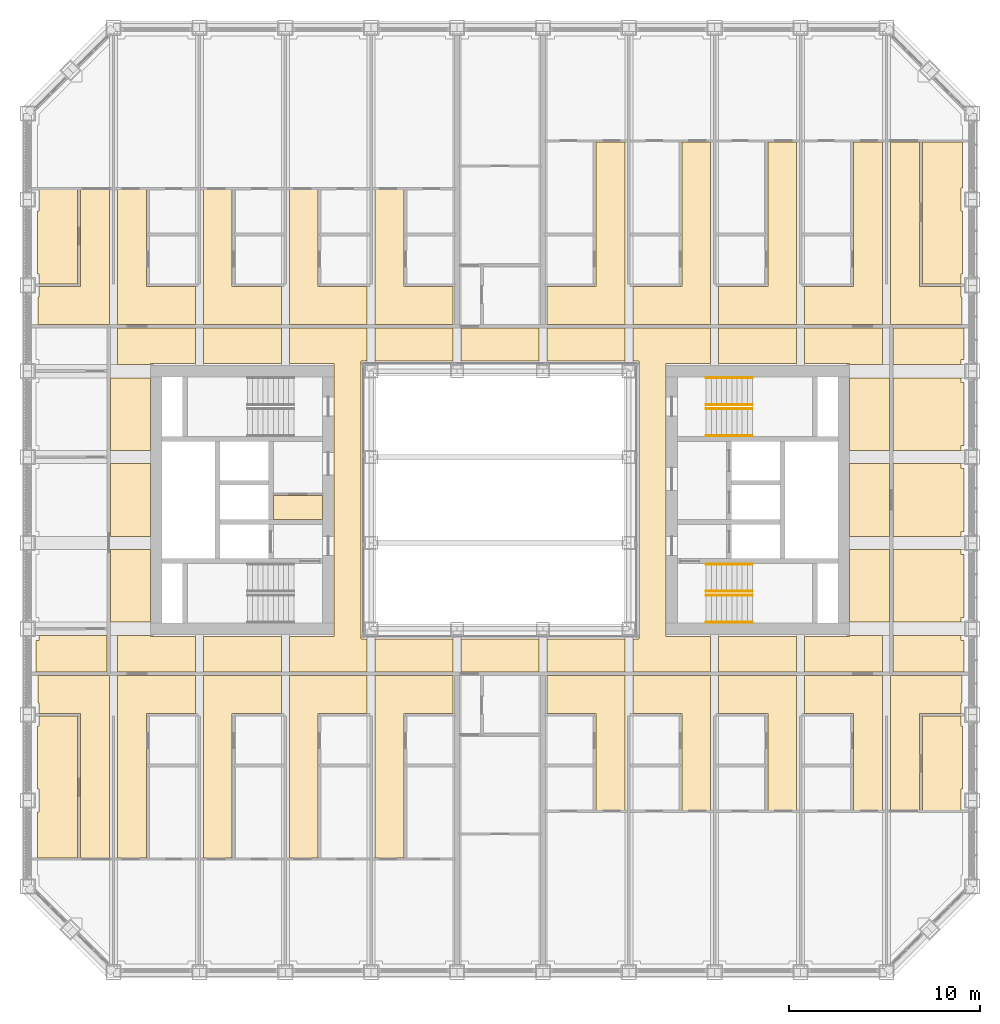
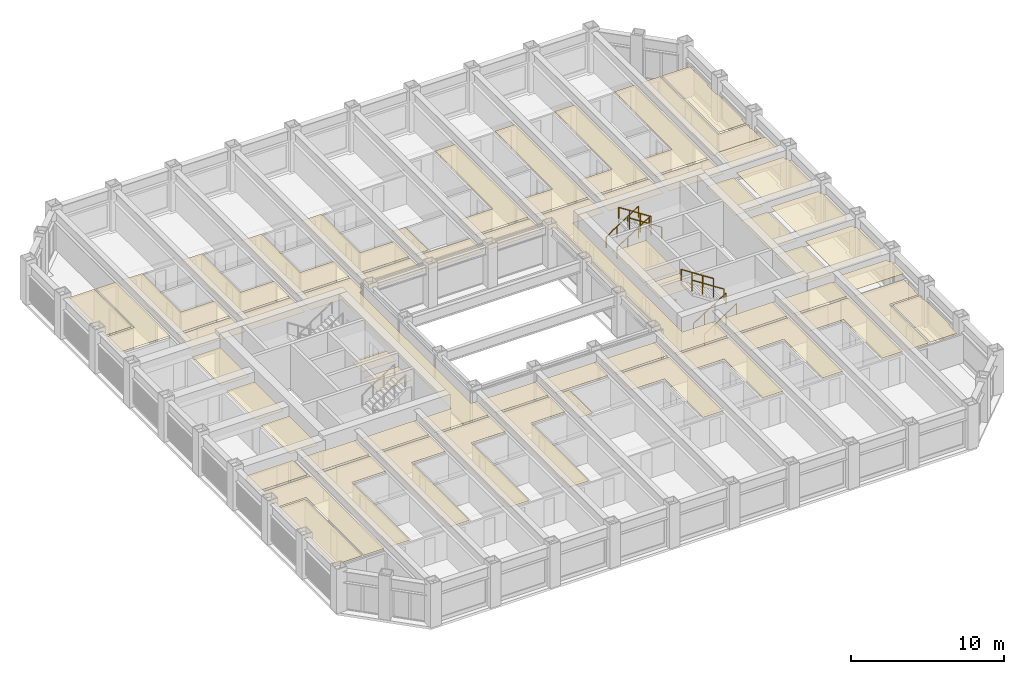
# One storey, part 20 of 21: 8 railings, 3 coverings.
"""IFC4 building model written with IfcOpenShell, lengths in metres."""

from ifc_helpers import new_model, si_unit, direction, frame, origin, origin_2d, place, context, subcontext, project, spatial, line, indexed_curve, circle, outline, extrude, material, layer, layer_set, type_object, element, save


model = new_model("IFC4")

# Units and contexts
model_context = context("Model", 3, precision=1e-05, world=origin(), true_north=direction((0.0, 1.0)))
body_context = subcontext(model_context, "Body", "Model", "MODEL_VIEW")
ifc_project = project(units=[si_unit("LENGTHUNIT", "METRE"), si_unit("AREAUNIT", "SQUARE_METRE"), si_unit("VOLUMEUNIT", "CUBIC_METRE"), si_unit("PLANEANGLEUNIT", "RADIAN"), si_unit("MASSUNIT", "GRAM", prefix="KILO")], contexts=[model_context])

# Site, building, storey
site_placement = place(None, origin())
site = spatial("IfcSite", under=ifc_project, at=site_placement, CompositionType="ELEMENT")
building_placement = place(site_placement, origin())
building = spatial("IfcBuilding", under=site, at=building_placement, Name="Msasa Ring Tower", CompositionType="ELEMENT")
storey_placement = place(building_placement, frame((0.0, 0.0, 103.5)))
storey = spatial("IfcBuildingStorey", under=building, at=storey_placement, Name="L27", CompositionType="ELEMENT", Elevation=103.5)

# Coverings
ifc_material_1 = material(Name="Gypsum plasterboard on a steel suspension grid", Category="steel")
ifc_layer_1 = layer(ifc_material_1, 0.014892578125)
ifc_layer_set_1 = layer_set([ifc_layer_1], Name="C1 SUSPENDED PLASTERBOARD CEILING 15")
covering_type_1 = type_object("IfcCoveringType", Name="C1 SUSPENDED PLASTERBOARD CEILING 15", PredefinedType="CEILING", material=ifc_layer_set_1)
covering_1_placement = place(storey_placement, frame((0.0, 0.0, 2.39990234375)))
element("IfcCovering", 1, at=covering_1_placement, inside=storey, type_object=covering_type_1, Name="Suspended Plasterboard Ceiling 15 circulation L27", PredefinedType="CEILING", context=body_context, shape_type="SweptSolid", body=[
    extrude(outline(indexed_curve([(-21.969482421875, -18.757080078125), (-21.969482421875, -11.18701171875), (-24.1494140625, -11.18701171875), (-24.1494140625, -10.6494140625), (-24.199462890625, -10.6494140625), (-24.199462890625, -9.200439453125), (-20.460693359375, -9.200439453125), (-20.460693359375, -18.757080078125)], segments=[line(1, 2, 3, 4, 5, 6, 7, 8, 1)], self_intersect=False)), origin(), (0.0, 0.0, 1.0), 0.01513671875),
    extrude(outline(indexed_curve([(-24.199462890625, 9.200439453125), (-24.199462890625, 10.6494140625), (-24.1494140625, 10.6494140625), (-24.1494140625, 11.18701171875), (-21.969482421875, 11.18701171875), (-21.969482421875, 16.257080078125), (-20.460693359375, 16.257080078125), (-20.460693359375, 9.200439453125)], segments=[line(1, 2, 3, 4, 5, 6, 7, 8, 1)], self_intersect=False)), origin(), (0.0, 0.0, 1.0), 0.01513671875),
    extrude(outline(indexed_curve([(-20.3994140625, -2.6005859375), (-18.300537109375, -2.6005859375), (-18.300537109375, -6.3994140625), (-20.3994140625, -6.3994140625)], segments=[line(1, 2, 3, 4, 1)], self_intersect=False)), origin(), (0.0, 0.0, 1.0), 0.01513671875),
    extrude(outline(indexed_curve([(-20.3994140625, 1.8994140625), (-18.300537109375, 1.8994140625), (-18.300537109375, -1.8994140625), (-20.3994140625, -1.8994140625)], segments=[line(1, 2, 3, 4, 1)], self_intersect=False)), origin(), (0.0, 0.0, 1.0), 0.01513671875),
    extrude(outline(indexed_curve([(-20.3994140625, 6.3994140625), (-18.300537109375, 6.3994140625), (-18.300537109375, 2.6005859375), (-20.3994140625, 2.6005859375)], segments=[line(1, 2, 3, 4, 1)], self_intersect=False)), origin(), (0.0, 0.0, 1.0), 0.01513671875),
    extrude(outline(indexed_curve([(-18.530517578125, -11.18701171875), (-18.530517578125, -18.757080078125), (-20.039306640625, -18.757080078125), (-20.039306640625, -9.200439453125), (-15.960693359375, -9.200439453125), (-15.960693359375, -11.18701171875)], segments=[line(1, 2, 3, 4, 5, 6, 1)], self_intersect=False)), origin(), (0.0, 0.0, 1.0), 0.01513671875),
    extrude(outline(indexed_curve([(-20.039306640625, -8.99951171875), (-20.039306640625, -7.1005859375), (-18.300537109375, -7.1005859375), (-18.300537109375, -7.150390625), (-15.960693359375, -7.150390625), (-15.960693359375, -8.99951171875)], segments=[line(1, 2, 3, 4, 5, 6, 1)], self_intersect=False)), origin(), (0.0, 0.0, 1.0), 0.01513671875),
    extrude(outline(indexed_curve([(-15.960693359375, 8.99951171875), (-15.960693359375, 7.150390625), (-18.300537109375, 7.150390625), (-18.300537109375, 7.1005859375), (-20.039306640625, 7.1005859375), (-20.039306640625, 8.99951171875)], segments=[line(1, 2, 3, 4, 5, 6, 1)], self_intersect=False)), origin(), (0.0, 0.0, 1.0), 0.01513671875),
    extrude(outline(indexed_curve([(-18.530517578125, 16.257080078125), (-18.530517578125, 11.18701171875), (-15.960693359375, 11.18701171875), (-15.960693359375, 9.200439453125), (-20.039306640625, 9.200439453125), (-20.039306640625, 16.257080078125)], segments=[line(1, 2, 3, 4, 5, 6, 1)], self_intersect=False)), origin(), (0.0, 0.0, 1.0), 0.01513671875),
    extrude(outline(indexed_curve([(-14.030517578125, -11.18701171875), (-14.030517578125, -18.757080078125), (-15.539306640625, -18.757080078125), (-15.539306640625, -9.200439453125), (-11.460693359375, -9.200439453125), (-11.460693359375, -11.18701171875)], segments=[line(1, 2, 3, 4, 5, 6, 1)], self_intersect=False)), origin(), (0.0, 0.0, 1.0), 0.01513671875),
    extrude(outline(indexed_curve([(-15.539306640625, -8.99951171875), (-15.539306640625, -7.150390625), (-11.460693359375, -7.150390625), (-11.460693359375, -8.99951171875)], segments=[line(1, 2, 3, 4, 1)], self_intersect=False)), origin(), (0.0, 0.0, 1.0), 0.01513671875),
    extrude(outline(indexed_curve([(-11.460693359375, 8.99951171875), (-11.460693359375, 7.150390625), (-15.539306640625, 7.150390625), (-15.539306640625, 8.99951171875)], segments=[line(1, 2, 3, 4, 1)], self_intersect=False)), origin(), (0.0, 0.0, 1.0), 0.01513671875),
    extrude(outline(indexed_curve([(-14.030517578125, 16.257080078125), (-14.030517578125, 11.18701171875), (-11.460693359375, 11.18701171875), (-11.460693359375, 9.200439453125), (-15.539306640625, 9.200439453125), (-15.539306640625, 16.257080078125)], segments=[line(1, 2, 3, 4, 5, 6, 1)], self_intersect=False)), origin(), (0.0, 0.0, 1.0), 0.01513671875),
    extrude(outline(indexed_curve([(-11.87451171875, -1.275390625), (-9.300537109375, -1.275390625), (-9.300537109375, -3.074462890625), (-11.87451171875, -3.074462890625)], segments=[line(1, 2, 3, 4, 1)], self_intersect=False)), origin(), (0.0, 0.0, 1.0), 0.01513671875),
    extrude(outline(indexed_curve([(-9.530517578125, -18.757080078125), (-11.039306640625, -18.757080078125), (-11.039306640625, -9.200439453125), (-6.960693359375, -9.200439453125), (-6.960693359375, -11.18701171875), (-9.530517578125, -11.18701171875)], segments=[line(1, 2, 3, 4, 5, 6, 1)], self_intersect=False)), origin(), (0.0, 0.0, 1.0), 0.01513671875),
    extrude(outline(indexed_curve([(-6.960693359375, 8.99951171875), (-6.960693359375, 7.280029296875), (-7.275390625, 7.275390625), (-7.280517578125, 7.23046875), (-7.280517578125, -7.23046875), (-7.275390625, -7.275390625), (-6.960693359375, -7.280029296875), (-6.960693359375, -8.99951171875), (-11.039306640625, -8.99951171875), (-11.039306640625, -7.150390625), (-8.699462890625, -7.150390625), (-8.699462890625, 7.150390625), (-11.039306640625, 7.150390625), (-11.039306640625, 8.99951171875)], segments=[line(1, 2, 3, 4, 5, 6, 7, 8, 9, 10, 11, 12, 13, 14, 1)], self_intersect=False)), origin(), (0.0, 0.0, 1.0), 0.01513671875),
    extrude(outline(indexed_curve([(-9.530517578125, 16.257080078125), (-9.530517578125, 11.18701171875), (-6.960693359375, 11.18701171875), (-6.960693359375, 9.200439453125), (-11.039306640625, 9.200439453125), (-11.039306640625, 16.257080078125)], segments=[line(1, 2, 3, 4, 5, 6, 1)], self_intersect=False)), origin(), (0.0, 0.0, 1.0), 0.01513671875),
    extrude(outline(indexed_curve([(-2.460693359375, -9.200439453125), (-2.460693359375, -11.18701171875), (-5.030517578125, -11.18701171875), (-5.030517578125, -18.757080078125), (-6.539306640625, -18.757080078125), (-6.539306640625, -9.200439453125)], segments=[line(1, 2, 3, 4, 5, 6, 1)], self_intersect=False)), origin(), (0.0, 0.0, 1.0), 0.01513671875),
    extrude(outline(indexed_curve([(-6.539306640625, -8.99951171875), (-6.539306640625, -7.280029296875), (-2.460693359375, -7.280029296875), (-2.460693359375, -8.99951171875)], segments=[line(1, 2, 3, 4, 1)], self_intersect=False)), origin(), (0.0, 0.0, 1.0), 0.01513671875),
    extrude(outline(indexed_curve([(-2.460693359375, 8.99951171875), (-2.460693359375, 7.280029296875), (-6.539306640625, 7.280029296875), (-6.539306640625, 8.99951171875)], segments=[line(1, 2, 3, 4, 1)], self_intersect=False)), origin(), (0.0, 0.0, 1.0), 0.01513671875),
    extrude(outline(indexed_curve([(-5.030517578125, 16.257080078125), (-5.030517578125, 11.18701171875), (-2.460693359375, 11.18701171875), (-2.460693359375, 9.200439453125), (-6.539306640625, 9.200439453125), (-6.539306640625, 16.257080078125)], segments=[line(1, 2, 3, 4, 5, 6, 1)], self_intersect=False)), origin(), (0.0, 0.0, 1.0), 0.01513671875),
    extrude(outline(indexed_curve([(-2.039306640625, -12.219482421875), (-2.039306640625, -9.200439453125), (-1.00048828125, -9.200439453125), (-1.00048828125, -12.219482421875)], segments=[line(1, 2, 3, 4, 1)], self_intersect=False)), origin(), (0.0, 0.0, 1.0), 0.01513671875),
    extrude(outline(indexed_curve([(-2.039306640625, -8.99951171875), (-2.039306640625, -7.280029296875), (2.039306640625, -7.280029296875), (2.039306640625, -8.99951171875)], segments=[line(1, 2, 3, 4, 1)], self_intersect=False)), origin(), (0.0, 0.0, 1.0), 0.01513671875),
    extrude(outline(indexed_curve([(2.039306640625, 8.99951171875), (2.039306640625, 7.280029296875), (-2.039306640625, 7.280029296875), (-2.039306640625, 8.99951171875)], segments=[line(1, 2, 3, 4, 1)], self_intersect=False)), origin(), (0.0, 0.0, 1.0), 0.01513671875),
    extrude(outline(indexed_curve([(-2.039306640625, 9.200439453125), (-2.039306640625, 12.219482421875), (-1.00048828125, 12.219482421875), (-1.00048828125, 9.200439453125)], segments=[line(1, 2, 3, 4, 1)], self_intersect=False)), origin(), (0.0, 0.0, 1.0), 0.01513671875),
    extrude(outline(indexed_curve([(5.030517578125, -16.257080078125), (5.030517578125, -11.18701171875), (2.460693359375, -11.18701171875), (2.460693359375, -9.200439453125), (6.539306640625, -9.200439453125), (6.539306640625, -16.257080078125)], segments=[line(1, 2, 3, 4, 5, 6, 1)], self_intersect=False)), origin(), (0.0, 0.0, 1.0), 0.01513671875),
    extrude(outline(indexed_curve([(2.460693359375, -8.99951171875), (2.460693359375, -7.280029296875), (6.539306640625, -7.280029296875), (6.539306640625, -8.99951171875)], segments=[line(1, 2, 3, 4, 1)], self_intersect=False)), origin(), (0.0, 0.0, 1.0), 0.01513671875),
    extrude(outline(indexed_curve([(6.539306640625, 8.99951171875), (6.539306640625, 7.280029296875), (2.460693359375, 7.280029296875), (2.460693359375, 8.99951171875)], segments=[line(1, 2, 3, 4, 1)], self_intersect=False)), origin(), (0.0, 0.0, 1.0), 0.01513671875),
    extrude(outline(indexed_curve([(2.460693359375, 9.200439453125), (2.460693359375, 11.18701171875), (5.030517578125, 11.18701171875), (5.030517578125, 18.757080078125), (6.539306640625, 18.757080078125), (6.539306640625, 9.200439453125)], segments=[line(1, 2, 3, 4, 5, 6, 1)], self_intersect=False)), origin(), (0.0, 0.0, 1.0), 0.01513671875),
    extrude(outline(indexed_curve([(9.530517578125, -16.257080078125), (9.530517578125, -11.18701171875), (6.960693359375, -11.18701171875), (6.960693359375, -9.200439453125), (11.039306640625, -9.200439453125), (11.039306640625, -16.257080078125)], segments=[line(1, 2, 3, 4, 5, 6, 1)], self_intersect=False)), origin(), (0.0, 0.0, 1.0), 0.01513671875),
    extrude(outline(indexed_curve([(11.039306640625, 8.99951171875), (11.039306640625, 7.150390625), (8.699462890625, 7.150390625), (8.699462890625, -7.150390625), (11.039306640625, -7.150390625), (11.039306640625, -8.99951171875), (6.960693359375, -8.99951171875), (6.960693359375, -7.280029296875), (7.275390625, -7.275390625), (7.280517578125, -7.23046875), (7.280517578125, 7.23046875), (7.275390625, 7.275390625), (6.960693359375, 7.280029296875), (6.960693359375, 8.99951171875)], segments=[line(1, 2, 3, 4, 5, 6, 7, 8, 9, 10, 11, 12, 13, 14, 1)], self_intersect=False)), origin(), (0.0, 0.0, 1.0), 0.01513671875),
    extrude(outline(indexed_curve([(11.039306640625, 18.757080078125), (11.039306640625, 9.200439453125), (6.960693359375, 9.200439453125), (6.960693359375, 11.18701171875), (9.530517578125, 11.18701171875), (9.530517578125, 18.757080078125)], segments=[line(1, 2, 3, 4, 5, 6, 1)], self_intersect=False)), origin(), (0.0, 0.0, 1.0), 0.01513671875),
    extrude(outline(indexed_curve([(9.300537109375, -1.275390625), (11.87451171875, -1.275390625), (11.87451171875, -3.074462890625), (9.300537109375, -3.074462890625)], segments=[line(1, 2, 3, 4, 1)], self_intersect=False)), origin(), (0.0, 0.0, 1.0), 0.01513671875),
    extrude(outline(indexed_curve([(9.300537109375, -1.0244140625), (9.300537109375, 3.074462890625), (11.87451171875, 3.074462890625), (11.87451171875, -1.0244140625)], segments=[line(1, 2, 3, 4, 1)], self_intersect=False)), origin(), (0.0, 0.0, 1.0), 0.01513671875),
    extrude(outline(indexed_curve([(14.030517578125, -16.257080078125), (14.030517578125, -11.18701171875), (11.460693359375, -11.18701171875), (11.460693359375, -9.200439453125), (15.539306640625, -9.200439453125), (15.539306640625, -16.257080078125)], segments=[line(1, 2, 3, 4, 5, 6, 1)], self_intersect=False)), origin(), (0.0, 0.0, 1.0), 0.01513671875),
    extrude(outline(indexed_curve([(11.460693359375, -8.99951171875), (11.460693359375, -7.150390625), (15.539306640625, -7.150390625), (15.539306640625, -8.99951171875)], segments=[line(1, 2, 3, 4, 1)], self_intersect=False)), origin(), (0.0, 0.0, 1.0), 0.01513671875),
    extrude(outline(indexed_curve([(15.539306640625, 8.99951171875), (15.539306640625, 7.150390625), (11.460693359375, 7.150390625), (11.460693359375, 8.99951171875)], segments=[line(1, 2, 3, 4, 1)], self_intersect=False)), origin(), (0.0, 0.0, 1.0), 0.01513671875),
    extrude(outline(indexed_curve([(14.030517578125, 11.18701171875), (14.030517578125, 18.757080078125), (15.539306640625, 18.757080078125), (15.539306640625, 9.200439453125), (11.460693359375, 9.200439453125), (11.460693359375, 11.18701171875)], segments=[line(1, 2, 3, 4, 5, 6, 1)], self_intersect=False)), origin(), (0.0, 0.0, 1.0), 0.01513671875),
    extrude(outline(indexed_curve([(18.530517578125, -16.257080078125), (18.530517578125, -11.18701171875), (15.960693359375, -11.18701171875), (15.960693359375, -9.200439453125), (20.039306640625, -9.200439453125), (20.039306640625, -16.257080078125)], segments=[line(1, 2, 3, 4, 5, 6, 1)], self_intersect=False)), origin(), (0.0, 0.0, 1.0), 0.01513671875),
    extrude(outline(indexed_curve([(15.960693359375, -8.99951171875), (15.960693359375, -7.150390625), (18.300537109375, -7.150390625), (18.300537109375, -7.1005859375), (20.039306640625, -7.1005859375), (20.039306640625, -8.99951171875)], segments=[line(1, 2, 3, 4, 5, 6, 1)], self_intersect=False)), origin(), (0.0, 0.0, 1.0), 0.01513671875),
    extrude(outline(indexed_curve([(20.039306640625, 8.99951171875), (20.039306640625, 7.1005859375), (18.300537109375, 7.1005859375), (18.300537109375, 7.150390625), (15.960693359375, 7.150390625), (15.960693359375, 8.99951171875)], segments=[line(1, 2, 3, 4, 5, 6, 1)], self_intersect=False)), origin(), (0.0, 0.0, 1.0), 0.01513671875),
    extrude(outline(indexed_curve([(18.530517578125, 11.18701171875), (18.530517578125, 18.757080078125), (20.039306640625, 18.757080078125), (20.039306640625, 9.200439453125), (15.960693359375, 9.200439453125), (15.960693359375, 11.18701171875)], segments=[line(1, 2, 3, 4, 5, 6, 1)], self_intersect=False)), origin(), (0.0, 0.0, 1.0), 0.01513671875),
    extrude(outline(indexed_curve([(20.3994140625, -6.3994140625), (18.300537109375, -6.3994140625), (18.300537109375, -2.6005859375), (20.3994140625, -2.6005859375)], segments=[line(1, 2, 3, 4, 1)], self_intersect=False)), origin(), (0.0, 0.0, 1.0), 0.01513671875),
    extrude(outline(indexed_curve([(20.3994140625, -1.8994140625), (18.300537109375, -1.8994140625), (18.300537109375, 1.8994140625), (20.3994140625, 1.8994140625)], segments=[line(1, 2, 3, 4, 1)], self_intersect=False)), origin(), (0.0, 0.0, 1.0), 0.01513671875),
    extrude(outline(indexed_curve([(20.3994140625, 2.6005859375), (18.300537109375, 2.6005859375), (18.300537109375, 6.3994140625), (20.3994140625, 6.3994140625)], segments=[line(1, 2, 3, 4, 1)], self_intersect=False)), origin(), (0.0, 0.0, 1.0), 0.01513671875),
    extrude(outline(indexed_curve([(24.199462890625, -9.200439453125), (24.199462890625, -10.6494140625), (24.1494140625, -10.6494140625), (24.1494140625, -11.18701171875), (21.969482421875, -11.18701171875), (21.969482421875, -16.257080078125), (20.460693359375, -16.257080078125), (20.460693359375, -9.200439453125)], segments=[line(1, 2, 3, 4, 5, 6, 7, 8, 1)], self_intersect=False)), origin(), (0.0, 0.0, 1.0), 0.01513671875),
    extrude(outline(indexed_curve([(21.969482421875, 18.757080078125), (21.969482421875, 11.18701171875), (24.1494140625, 11.18701171875), (24.1494140625, 10.6494140625), (24.199462890625, 10.6494140625), (24.199462890625, 9.200439453125), (20.460693359375, 9.200439453125), (20.460693359375, 18.757080078125)], segments=[line(1, 2, 3, 4, 5, 6, 7, 8, 1)], self_intersect=False)), origin(), (0.0, 0.0, 1.0), 0.01513671875),
])
ifc_material_2 = material(Name="Mineral fibre ceiling tiles on an exposed steel grid", Category="steel")
ifc_layer_2 = layer(ifc_material_2, 0.02001953125)
ifc_layer_set_2 = layer_set([ifc_layer_2], Name="C3 ACOUSTIC MINERAL FIBRE TILE CEILING 20")
covering_type_2 = type_object("IfcCoveringType", Name="C3 ACOUSTIC MINERAL FIBRE TILE CEILING 20", PredefinedType="CEILING", material=ifc_layer_set_2)
covering_2_placement = place(storey_placement, frame((0.0, 0.0, 2.699951171875)))
element("IfcCovering", 2, at=covering_2_placement, inside=storey, type_object=covering_type_2, Name="Acoustic Mineral Fibre Tile Ceiling 20 L27", PredefinedType="CEILING", context=body_context, shape_type="SweptSolid", body=[
    extrude(outline(indexed_curve([(-9.300537109375, 0.244384765625), (-9.300537109375, -1.0244140625), (-11.87451171875, -1.0244140625), (-11.87451171875, 0.244384765625)], segments=[line(1, 2, 3, 4, 1)], self_intersect=False)), origin(), (0.0, 0.0, 1.0), 0.02001953125),
    extrude(outline(indexed_curve([(20.6005859375, -7.1005859375), (24.1494140625, -7.1005859375), (24.1494140625, -7.3505859375), (24.299560546875, -7.3505859375), (24.299560546875, -8.99951171875), (20.6005859375, -8.99951171875)], segments=[line(1, 2, 3, 4, 5, 6, 1)], self_intersect=False)), origin(), (0.0, 0.0, 1.0), 0.02001953125),
    extrude(outline(indexed_curve([(20.6005859375, -2.6005859375), (24.1494140625, -2.6005859375), (24.1494140625, -2.8505859375), (24.299560546875, -2.8505859375), (24.299560546875, -6.1494140625), (24.1494140625, -6.1494140625), (24.1494140625, -6.3994140625), (20.6005859375, -6.3994140625)], segments=[line(1, 2, 3, 4, 5, 6, 7, 8, 1)], self_intersect=False)), origin(), (0.0, 0.0, 1.0), 0.02001953125),
    extrude(outline(indexed_curve([(20.6005859375, 1.8994140625), (24.1494140625, 1.8994140625), (24.1494140625, 1.6494140625), (24.299560546875, 1.6494140625), (24.299560546875, -1.6494140625), (24.1494140625, -1.6494140625), (24.1494140625, -1.8994140625), (20.6005859375, -1.8994140625)], segments=[line(1, 2, 3, 4, 5, 6, 7, 8, 1)], self_intersect=False)), origin(), (0.0, 0.0, 1.0), 0.02001953125),
    extrude(outline(indexed_curve([(20.6005859375, 6.3994140625), (24.1494140625, 6.3994140625), (24.1494140625, 6.1494140625), (24.299560546875, 6.1494140625), (24.299560546875, 2.8505859375), (24.1494140625, 2.8505859375), (24.1494140625, 2.6005859375), (20.6005859375, 2.6005859375)], segments=[line(1, 2, 3, 4, 5, 6, 7, 8, 1)], self_intersect=False)), origin(), (0.0, 0.0, 1.0), 0.02001953125),
    extrude(outline(indexed_curve([(20.6005859375, 8.99951171875), (24.299560546875, 8.99951171875), (24.299560546875, 7.3505859375), (24.1494140625, 7.3505859375), (24.1494140625, 7.1005859375), (20.6005859375, 7.1005859375)], segments=[line(1, 2, 3, 4, 5, 6, 1)], self_intersect=False)), origin(), (0.0, 0.0, 1.0), 0.02001953125),
])
ifc_material_3 = material(Name="Perforated aluminium ceiling pans on a steel grid", Category="steel")
ifc_layer_3 = layer(ifc_material_3, 0.02490234375)
ifc_layer_set_3 = layer_set([ifc_layer_3], Name="C4 PERFORATED METAL PAN CEILING 25")
covering_type_3 = type_object("IfcCoveringType", Name="C4 PERFORATED METAL PAN CEILING 25", PredefinedType="CEILING", material=ifc_layer_set_3)
covering_3_placement = place(storey_placement, frame((0.0, 0.0, 2.39990234375)))
element("IfcCovering", 3, at=covering_3_placement, inside=storey, type_object=covering_type_3, Name="Perforated Metal Pan Ceiling 25 L27", PredefinedType="CEILING", context=body_context, shape_type="SweptSolid", body=[
    extrude(outline(indexed_curve([(-24.299560546875, -7.3505859375), (-24.1494140625, -7.3505859375), (-24.1494140625, -7.1005859375), (-20.6005859375, -7.1005859375), (-20.6005859375, -8.99951171875), (-24.299560546875, -8.99951171875)], segments=[line(1, 2, 3, 4, 5, 6, 1)], self_intersect=False)), origin(), (0.0, 0.0, 1.0), 0.025146484375),
    extrude(outline(indexed_curve([(-22.130615234375, -18.757080078125), (-24.23193359375, -18.757080078125), (-24.23193359375, -16.3505859375), (-24.1494140625, -16.3505859375), (-24.1494140625, -15.1494140625), (-24.23193359375, -15.1494140625), (-24.23193359375, -11.8505859375), (-24.1494140625, -11.8505859375), (-24.1494140625, -11.318115234375), (-22.130615234375, -11.318115234375)], segments=[line(1, 2, 3, 4, 5, 6, 7, 8, 9, 10, 1)], self_intersect=False)), origin(), (0.0, 0.0, 1.0), 0.025146484375),
    extrude(outline(indexed_curve([(-24.1494140625, 11.318115234375), (-24.1494140625, 11.8505859375), (-24.23193359375, 11.8505859375), (-24.23193359375, 15.1494140625), (-24.1494140625, 15.1494140625), (-24.1494140625, 16.257080078125), (-22.130615234375, 16.257080078125), (-22.130615234375, 11.318115234375)], segments=[line(1, 2, 3, 4, 5, 6, 7, 8, 1)], self_intersect=False)), origin(), (0.0, 0.0, 1.0), 0.025146484375),
    extrude(outline(indexed_curve([(24.23193359375, -15.1494140625), (24.1494140625, -15.1494140625), (24.1494140625, -16.257080078125), (22.130615234375, -16.257080078125), (22.130615234375, -11.318115234375), (24.1494140625, -11.318115234375), (24.1494140625, -11.8505859375), (24.23193359375, -11.8505859375)], segments=[line(1, 2, 3, 4, 5, 6, 7, 8, 1)], self_intersect=False)), origin(), (0.0, 0.0, 1.0), 0.025146484375),
    extrude(outline(indexed_curve([(22.130615234375, 11.318115234375), (22.130615234375, 18.757080078125), (24.23193359375, 18.757080078125), (24.23193359375, 16.3505859375), (24.1494140625, 16.3505859375), (24.1494140625, 15.1494140625), (24.23193359375, 15.1494140625), (24.23193359375, 11.8505859375), (24.1494140625, 11.8505859375), (24.1494140625, 11.318115234375)], segments=[line(1, 2, 3, 4, 5, 6, 7, 8, 9, 10, 1)], self_intersect=False)), origin(), (0.0, 0.0, 1.0), 0.025146484375),
])

# Railings
ifc_material_4 = material(Name="Stainless steel", Category="steel")
railing_type = type_object("IfcRailingType", Name="HR1 HANDRAIL 900", PredefinedType="HANDRAIL", material=ifc_material_4)
for number, where, name in (
    (4, (10.800048828125, -6.39990234375, 0.175048828125), "Handrail stair SEA L27 1"),
    (5, (10.800048828125, -5.0, 0.175048828125), "Handrail stair SEA L27 2"),
):
    element("IfcRailing", number, at=place(storey_placement, frame(where)), inside=storey, type_object=railing_type, Name=name, PredefinedType="HANDRAIL", context=body_context, shape_type="SweptSolid", body=[
        extrude(circle(Radius=0.02392578125, at=origin_2d()), frame((0.0, 0.0, 0.8759765625), z_axis=(0.839153699163, 0.0, 0.543894354798), x_axis=(0.0, 1.0, 0.0)), (0.0, 0.0, 1.0), 2.895751953125),
        extrude(circle(Radius=0.02099609375, at=origin_2d()), origin(), (0.0, 0.0, 1.0), 0.851806640625),
        extrude(circle(Radius=0.02099609375, at=origin_2d()), frame((0.81005859375, 0.0, 0.52490234375)), (0.0, 0.0, 1.0), 0.851806640625),
        extrude(circle(Radius=0.02099609375, at=origin_2d()), frame((1.619873046875, 0.0, 1.050048828125)), (0.0, 0.0, 1.0), 0.851806640625),
        extrude(circle(Radius=0.02099609375, at=origin_2d()), frame((2.429931640625, 0.0, 1.574951171875)), (0.0, 0.0, 1.0), 0.851806640625),
    ])
for number, where, name in (
    (6, (13.22998046875, -4.77490234375, 1.925048828125), "Handrail stair SEA L27 3"),
    (7, (13.22998046875, -3.375, 1.925048828125), "Handrail stair SEA L27 4"),
):
    element("IfcRailing", number, at=place(storey_placement, frame(where)), inside=storey, type_object=railing_type, Name=name, PredefinedType="HANDRAIL", context=body_context, shape_type="SweptSolid", body=[
        extrude(circle(Radius=0.02392578125, at=origin_2d()), frame((0.0, 0.0, 0.8759765625), z_axis=(-0.839153699163, 0.0, 0.543894354798), x_axis=(0.0, -1.0, 0.0)), (0.0, 0.0, 1.0), 2.895751953125),
        extrude(circle(Radius=0.02099609375, at=origin_2d()), origin(), (0.0, 0.0, 1.0), 0.851806640625),
        extrude(circle(Radius=0.02099609375, at=origin_2d()), frame((-0.81005859375, 0.0, 0.52490234375)), (0.0, 0.0, 1.0), 0.851806640625),
        extrude(circle(Radius=0.02099609375, at=origin_2d()), frame((-1.619873046875, 0.0, 1.050048828125)), (0.0, 0.0, 1.0), 0.851806640625),
        extrude(circle(Radius=0.02099609375, at=origin_2d()), frame((-2.429931640625, 0.0, 1.574951171875)), (0.0, 0.0, 1.0), 0.851806640625),
    ])
for number, where, name in (
    (8, (10.800048828125, 5.0, 0.175048828125), "Handrail stair SEB L27 1"),
    (9, (10.800048828125, 6.39990234375, 0.175048828125), "Handrail stair SEB L27 2"),
):
    element("IfcRailing", number, at=place(storey_placement, frame(where)), inside=storey, type_object=railing_type, Name=name, PredefinedType="HANDRAIL", context=body_context, shape_type="SweptSolid", body=[
        extrude(circle(Radius=0.02392578125, at=origin_2d()), frame((0.0, 0.0, 0.8759765625), z_axis=(0.839153699163, 0.0, 0.543894354798), x_axis=(0.0, 1.0, 0.0)), (0.0, 0.0, 1.0), 2.895751953125),
        extrude(circle(Radius=0.02099609375, at=origin_2d()), origin(), (0.0, 0.0, 1.0), 0.851806640625),
        extrude(circle(Radius=0.02099609375, at=origin_2d()), frame((0.81005859375, 0.0, 0.52490234375)), (0.0, 0.0, 1.0), 0.851806640625),
        extrude(circle(Radius=0.02099609375, at=origin_2d()), frame((1.619873046875, 0.0, 1.050048828125)), (0.0, 0.0, 1.0), 0.851806640625),
        extrude(circle(Radius=0.02099609375, at=origin_2d()), frame((2.429931640625, 0.0, 1.574951171875)), (0.0, 0.0, 1.0), 0.851806640625),
    ])
for number, where, name in (
    (10, (13.22998046875, 3.375, 1.925048828125), "Handrail stair SEB L27 3"),
    (11, (13.22998046875, 4.77490234375, 1.925048828125), "Handrail stair SEB L27 4"),
):
    element("IfcRailing", number, at=place(storey_placement, frame(where)), inside=storey, type_object=railing_type, Name=name, PredefinedType="HANDRAIL", context=body_context, shape_type="SweptSolid", body=[
        extrude(circle(Radius=0.02392578125, at=origin_2d()), frame((0.0, 0.0, 0.8759765625), z_axis=(-0.839153699163, 0.0, 0.543894354798), x_axis=(0.0, -1.0, 0.0)), (0.0, 0.0, 1.0), 2.895751953125),
        extrude(circle(Radius=0.02099609375, at=origin_2d()), origin(), (0.0, 0.0, 1.0), 0.851806640625),
        extrude(circle(Radius=0.02099609375, at=origin_2d()), frame((-0.81005859375, 0.0, 0.52490234375)), (0.0, 0.0, 1.0), 0.851806640625),
        extrude(circle(Radius=0.02099609375, at=origin_2d()), frame((-1.619873046875, 0.0, 1.050048828125)), (0.0, 0.0, 1.0), 0.851806640625),
        extrude(circle(Radius=0.02099609375, at=origin_2d()), frame((-2.429931640625, 0.0, 1.574951171875)), (0.0, 0.0, 1.0), 0.851806640625),
    ])

save(model, "model.ifc")
